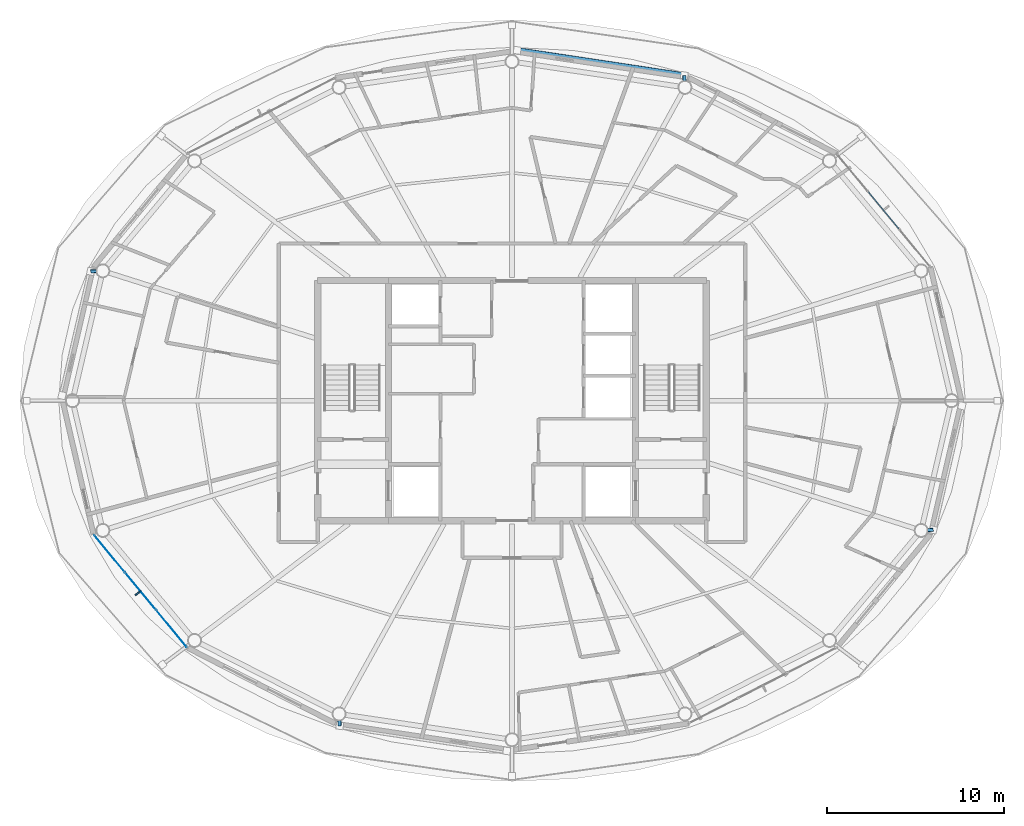
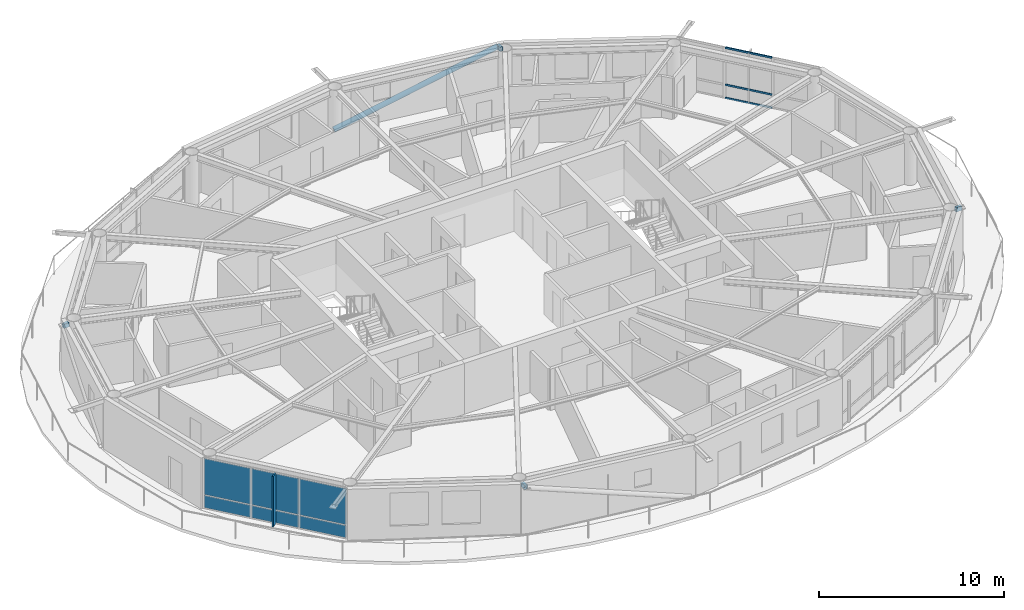
# One storey, part 12 of 23: 8 members, 7 plates, 2 elements without a shape of their own.
"""IFC4 building model written with IfcOpenShell, lengths in metres."""

import ifcopenshell
import ifcopenshell.guid

model = None  # the IFC model being written
_history = None  # IfcOwnerHistory: only IFC2X3 demands one
_inside = {}  # id of a spatial element -> (the spatial element, [elements in it])
_under = {}  # id of a project, library or spatial element -> (it, [spatial elements below it])
_declared = {}  # id of a project -> (the project, [libraries it declares])
_typed = {}  # id of a type object -> (the type object, [elements of that type])
_made_of = {}  # id of a material, layer set ... -> (it, [elements and type objects made of it])


def new_model(schema):
    """Start an empty IFC model of exactly this schema.

    Asked for "IFC4X3", IfcOpenShell would pick the latest addendum, in which some entities
    have other attributes; the version numbers below select the first issue.
    IFC2X3 requires an IfcOwnerHistory on every rooted entity: one is made here for all.
    """
    global model, _history
    if schema == "IFC4X3":
        model = ifcopenshell.file(schema_version=(4, 3, 0, 0))
    else:
        model = ifcopenshell.file(schema=schema)
    _inside.clear()
    _under.clear()
    _declared.clear()
    _typed.clear()
    _made_of.clear()
    _history = None
    if model.schema == "IFC2X3":
        org = make("IfcOrganization", Name="unknown")
        user = make(
            "IfcPersonAndOrganization",
            ThePerson=make("IfcPerson", FamilyName="unknown"),
            TheOrganization=org,
        )
        app = make(
            "IfcApplication",
            ApplicationDeveloper=org,
            Version="unknown",
            ApplicationFullName="unknown",
            ApplicationIdentifier="unknown",
        )
        _history = make(
            "IfcOwnerHistory",
            OwningUser=user,
            OwningApplication=app,
            ChangeAction="ADDED",
            CreationDate=0,
        )
    return model


def make(cls, **values):
    """One entity of the class cls with the attributes given. An attribute that is None is left unset."""
    return model.create_entity(
        cls, **{name: value for name, value in values.items() if value is not None}
    )


def rooted(cls, **values):
    """An entity with a GlobalId (a new one), such as an element, a storey or a relation."""
    return make(cls, GlobalId=ifcopenshell.guid.new(), OwnerHistory=_history, **values)


def si_unit(unit_type, name, prefix=None):
    """IfcSIUnit, for example si_unit("LENGTHUNIT", "METRE", prefix="MILLI")."""
    return make("IfcSIUnit", UnitType=unit_type, Prefix=prefix, Name=name)


def assignment(units):
    """IfcUnitAssignment: the units of a project."""
    return None if units is None else make("IfcUnitAssignment", Units=units)


def point(xyz):
    """IfcCartesianPoint."""
    return None if xyz is None else make("IfcCartesianPoint", Coordinates=xyz)


def direction(xyz):
    """IfcDirection."""
    return None if xyz is None else make("IfcDirection", DirectionRatios=xyz)


def frame(location, z_axis=None, x_axis=None):
    """IfcAxis2Placement3D, a coordinate frame: its origin and axes. An axis left out is left unset."""
    return make(
        "IfcAxis2Placement3D",
        Location=point(location),
        Axis=direction(z_axis),
        RefDirection=direction(x_axis),
    )


def frame_2d(location, x_axis=None):
    """IfcAxis2Placement2D, a coordinate frame in the plane: its origin and x axis."""
    return make(
        "IfcAxis2Placement2D", Location=point(location), RefDirection=direction(x_axis)
    )


def origin():
    """The frame at (0, 0, 0) with its axes left unset."""
    return frame((0.0, 0.0, 0.0))


def origin_2d():
    """The frame at (0, 0) in the plane with its x axis left unset."""
    return frame_2d((0.0, 0.0))


def place(relative_to, where):
    """IfcLocalPlacement: puts the frame where relative to a parent placement (None: the world)."""
    return make(
        "IfcLocalPlacement", PlacementRelTo=relative_to, RelativePlacement=where
    )


def context(
    kind, dimensions, precision=None, world=None, true_north=None, identifier=None
):
    """IfcGeometricRepresentationContext, for example the 3D "Model" context."""
    return make(
        "IfcGeometricRepresentationContext",
        ContextIdentifier=identifier,
        ContextType=kind,
        CoordinateSpaceDimension=dimensions,
        Precision=precision,
        WorldCoordinateSystem=world,
        TrueNorth=true_north,
    )


def subcontext(parent, identifier, kind, view, scale=None):
    """IfcGeometricRepresentationSubContext, for example "Body" below "Model"."""
    return make(
        "IfcGeometricRepresentationSubContext",
        ContextIdentifier=identifier,
        ContextType=kind,
        ParentContext=parent,
        TargetScale=scale,
        TargetView=view,
    )


def project(units=None, contexts=None):
    """IfcProject with its units and contexts."""
    return rooted(
        "IfcProject",
        Name="project",
        RepresentationContexts=contexts,
        UnitsInContext=assignment(units),
    )


def spatial(cls, under=None, at=None, **own):
    """A site, building, storey or space (cls), placed at a placement, below another one or the project."""
    s = rooted(cls, ObjectPlacement=at, **own)
    if under is not None:
        _under.setdefault(under.id(), (under, []))[1].append(s)
    return s


def profile(cls, at=None, kind="AREA", **sizes):
    """A parametric profile (cls). Its sizes go by their IFC names, for example OverallWidth=200.0."""
    return make(cls, ProfileType=kind, Position=at, **sizes)


def rectangle(**sizes):
    """IfcRectangleProfileDef."""
    return profile("IfcRectangleProfileDef", **sizes)


def hollow_rectangle(**sizes):
    """IfcRectangleHollowProfileDef."""
    return profile("IfcRectangleHollowProfileDef", **sizes)


def hollow_circle(**sizes):
    """IfcCircleHollowProfileDef."""
    return profile("IfcCircleHollowProfileDef", **sizes)


def extrude(swept, where, along, depth):
    """IfcExtrudedAreaSolid: the profile swept, set in the frame where, extruded along a direction by depth."""
    return make(
        "IfcExtrudedAreaSolid",
        SweptArea=swept,
        Position=where,
        ExtrudedDirection=direction(along),
        Depth=depth,
    )


def shape(context_of_items, identifier, shape_type, items):
    """IfcShapeRepresentation: the items that make up one representation, for example the "Body"."""
    return make(
        "IfcShapeRepresentation",
        ContextOfItems=context_of_items,
        RepresentationIdentifier=identifier,
        RepresentationType=shape_type,
        Items=items,
    )


def material(Name=None, Category=None):
    """IfcMaterial."""
    return make("IfcMaterial", Name=Name, Category=Category)


def layer(
    of_material, thickness, ventilated=None, Name=None, Category=None, Priority=None
):
    """IfcMaterialLayer: one layer of a wall or slab, of a material (None: an air gap)."""
    return make(
        "IfcMaterialLayer",
        Material=of_material,
        LayerThickness=thickness,
        IsVentilated=ventilated,
        Name=Name,
        Category=Category,
        Priority=Priority,
    )


def layer_set(layers, Name=None):
    """IfcMaterialLayerSet."""
    return make("IfcMaterialLayerSet", MaterialLayers=layers, LayerSetName=Name)


def material_profile(
    of_material, cross_section, Name=None, Category=None, Priority=None
):
    """IfcMaterialProfile: a cross section and its material."""
    return make(
        "IfcMaterialProfile",
        Name=Name,
        Material=of_material,
        Profile=cross_section,
        Priority=Priority,
        Category=Category,
    )


def profile_set(profiles, Name=None, composite=None):
    """IfcMaterialProfileSet."""
    return make(
        "IfcMaterialProfileSet",
        Name=Name,
        MaterialProfiles=profiles,
        CompositeProfile=composite,
    )


def made_of(thing, what):
    """Note that an element or type object is made of a material, layer set ...; save() writes the relation."""
    if what is not None:
        _made_of.setdefault(what.id(), (what, []))[1].append(thing)
    return thing


def type_object(cls, material=None, **own):
    """A type object (cls), such as IfcWallType, which elements share."""
    return made_of(rooted(cls, **own), material)


def element(
    cls,
    number,
    at=None,
    inside=None,
    cuts=None,
    type_object=None,
    material=None,
    context=None,
    identifier="Body",
    shape_type=None,
    held_by="IfcProductDefinitionShape",
    body=None,
    shapes=None,
    **own,
):
    """One element of the class cls, such as IfcWall. Its Tag is "e" and its number.

    at: its placement. inside: the storey or other place that contains it. cuts: it is an
    opening in that element (IfcRelVoidsElement). A single representation is given by context,
    identifier, shape_type and body (its items); several are given by shapes. held_by: the class
    of the entity that holds the representations. save() writes the other relations.
    """
    e = rooted(cls, Tag="e%d" % number, ObjectPlacement=at, **own)
    if body is not None:
        shapes = [shape(context, identifier, shape_type, body)]
    if shapes is not None:
        e.Representation = make(held_by, Representations=shapes)
    if inside is not None:
        _inside.setdefault(inside.id(), (inside, []))[1].append(e)
    if cuts is not None:
        rooted(
            "IfcRelVoidsElement", RelatingBuildingElement=cuts, RelatedOpeningElement=e
        )
    if type_object is not None:
        _typed.setdefault(type_object.id(), (type_object, []))[1].append(e)
    return made_of(e, material)


def aggregate(whole, parts):
    """IfcRelAggregates: a whole, such as a stair, and the parts it consists of."""
    return rooted("IfcRelAggregates", RelatingObject=whole, RelatedObjects=parts)


def save(model, path):
    """Write the relations noted so far, then the file.

    IfcRelAggregates (storeys below a building ...), IfcRelContainedInSpatialStructure (elements
    in a storey), IfcRelDefinesByType, IfcRelAssociatesMaterial and IfcRelDeclares: one each for
    every whole, place, type object, material and project.
    """
    for whole, parts in _under.values():
        aggregate(whole, parts)
    for where, things in _inside.values():
        rooted(
            "IfcRelContainedInSpatialStructure",
            RelatedElements=things,
            RelatingStructure=where,
        )
    for kind, things in _typed.values():
        rooted("IfcRelDefinesByType", RelatedObjects=things, RelatingType=kind)
    for what, things in _made_of.values():
        rooted("IfcRelAssociatesMaterial", RelatedObjects=things, RelatingMaterial=what)
    for by, libraries in _declared.values():
        rooted("IfcRelDeclares", RelatingContext=by, RelatedDefinitions=libraries)
    model.write(path)


model = new_model("IFC4")

# Units and contexts
model_context = context("Model", 3, precision=1e-05, world=origin(), true_north=direction((0.0, 1.0)))
body_context = subcontext(model_context, "Body", "Model", "MODEL_VIEW")
ifc_project = project(units=[si_unit("LENGTHUNIT", "METRE"), si_unit("AREAUNIT", "SQUARE_METRE"), si_unit("VOLUMEUNIT", "CUBIC_METRE"), si_unit("PLANEANGLEUNIT", "RADIAN"), si_unit("MASSUNIT", "GRAM", prefix="KILO")], contexts=[model_context])

# Site, building, storey
site_placement = place(None, origin())
site = spatial("IfcSite", under=ifc_project, at=site_placement, CompositionType="ELEMENT")
building_placement = place(site_placement, origin())
building = spatial("IfcBuilding", under=site, at=building_placement, Name="Sarneth Arch Tower", CompositionType="ELEMENT")
storey_placement = place(building_placement, frame((0.0, 0.0, 269.39990234375)))
storey = spatial("IfcBuildingStorey", under=building, at=storey_placement, Name="L69", CompositionType="ELEMENT", Elevation=269.39990234375)

# Curtain wall, members
ifc_material_1 = material(Name="Anodised aluminium Type AA25 and solar-control low-e laminated IGU", Category="aluminium")
ifc_layer_1 = layer(ifc_material_1, 0.179931640625)
ifc_layer_set_1 = layer_set([ifc_layer_1], Name="Anodised aluminium Type AA25 and solar-control low-e laminated IGU")
curtain_wall_type = type_object("IfcCurtainWallType", Name="CW-RES-HIGH", PredefinedType="NOTDEFINED", material=ifc_layer_set_1)
curtain_wall_1_placement = place(storey_placement, origin())
curtain_wall_1 = element("IfcCurtainWall", 1, at=curtain_wall_1_placement, inside=storey, type_object=curtain_wall_type, Name="L69 Unitised curtain wall facet 02", PredefinedType="NOTDEFINED")
ifc_material_2 = material(Name="Anodised Aluminium 6063-T6", Category="aluminium")
ifc_material_profile_1 = material_profile(ifc_material_2, hollow_rectangle(XDim=0.06005859375, YDim=0.1201171875, WallThickness=0.00390625, at=origin_2d()), Name="AL-TRAN-120x60x4")
ifc_profile_set_1 = profile_set([ifc_material_profile_1], Name="Anodised Aluminium 6063-T6")
member_type_1 = type_object("IfcMemberType", Name="CW-TRANSOM", PredefinedType="USERDEFINED", material=ifc_profile_set_1)
member_1_placement = place(storey_placement, frame((69.904296875, 51.731689453125, 0.030029296875), z_axis=(-0.637617371902, 0.770353222261, 0.0), x_axis=(-0.770353222261, -0.637617371902, 0.0)))
member_1 = element("IfcMember", 2, at=member_1_placement, type_object=member_type_1, Name="CW-SYS-6 transom 2.1", ObjectType="TRANSOM", PredefinedType="USERDEFINED", context=body_context, shape_type="SweptSolid", body=[
    extrude(hollow_rectangle(XDim=0.06005859375, YDim=0.1201171875, WallThickness=0.00390625, at=origin_2d()), origin(), (0.0, 0.0, 1.0), 2.716552734375),
])
member_2_placement = place(storey_placement, frame((69.904296875, 51.731689453125, 0.900146484375), z_axis=(-0.637617371902, 0.770353222261, 0.0), x_axis=(-0.770353222261, -0.637617371902, 0.0)))
member_2 = element("IfcMember", 3, at=member_2_placement, type_object=member_type_1, Name="CW-SYS-6 transom 2.2", ObjectType="TRANSOM", PredefinedType="USERDEFINED", context=body_context, shape_type="SweptSolid", body=[
    extrude(hollow_rectangle(XDim=0.06005859375, YDim=0.1201171875, WallThickness=0.00390625, at=origin_2d()), origin(), (0.0, 0.0, 1.0), 2.716552734375),
])
member_3_placement = place(storey_placement, frame((69.904296875, 51.731689453125, 3.340087890625), z_axis=(-0.637617371902, 0.770353222261, 0.0), x_axis=(-0.770353222261, -0.637617371902, 0.0)))
member_3 = element("IfcMember", 4, at=member_3_placement, type_object=member_type_1, Name="CW-SYS-6 transom 2.3", ObjectType="TRANSOM", PredefinedType="USERDEFINED", context=body_context, shape_type="SweptSolid", body=[
    extrude(hollow_rectangle(XDim=0.06005859375, YDim=0.1201171875, WallThickness=0.00390625, at=origin_2d()), origin(), (0.0, 0.0, 1.0), 2.716552734375),
])
aggregate(curtain_wall_1, [member_1, member_2, member_3])

# Members
ifc_material_3 = material(Name="Steel S355", Category="steel")
ifc_material_profile_2 = material_profile(ifc_material_3, hollow_rectangle(XDim=0.199951171875, YDim=0.300048828125, WallThickness=0.012451171875, InnerFilletRadius=0.018798828125, OuterFilletRadius=0.03125, at=origin_2d()), Name="RHS300x200x12.5")
ifc_profile_set_2 = profile_set([ifc_material_profile_2], Name="Steel S355")
member_type_2 = type_object("IfcMemberType", Name="MEM-CANT-STRUT", PredefinedType="STRUT", material=ifc_profile_set_2)
member_4_placement = place(storey_placement, frame((57.772216796875, 60.080810546875, 3.09228515625), z_axis=(-0.054571440387, 0.998509868701, 0.0), x_axis=(-0.998509868701, -0.054571440387, 0.0)))
element("IfcMember", 5, at=member_4_placement, inside=storey, type_object=member_type_2, Name="L69 Exoskeleton brace node strut 04B", PredefinedType="STRUT", context=body_context, shape_type="SweptSolid", body=[
    extrude(hollow_rectangle(XDim=0.199951171875, YDim=0.300048828125, WallThickness=0.012451171875, InnerFilletRadius=0.018798828125, OuterFilletRadius=0.03125, at=origin_2d()), origin(), (0.0, 0.0, 1.0), 0.3310546875),
])
member_5_placement = place(storey_placement, frame((24.488525390625, 49.33154296875, 3.09228515625), z_axis=(-0.998881069959, -0.047292790974, 0.0), x_axis=(0.047292790974, -0.998881069959, 0.0)))
element("IfcMember", 6, at=member_5_placement, inside=storey, type_object=member_type_2, Name="L69 Exoskeleton brace node strut 08B", PredefinedType="STRUT", context=body_context, shape_type="SweptSolid", body=[
    extrude(hollow_rectangle(XDim=0.199951171875, YDim=0.300048828125, WallThickness=0.012451171875, InnerFilletRadius=0.018798828125, OuterFilletRadius=0.03125, at=origin_2d()), origin(), (0.0, 0.0, 1.0), 0.3408203125),
])
member_6_placement = place(storey_placement, frame((38.227783203125, 23.919189453125, 3.09228515625), z_axis=(0.054571440387, -0.998509868701, 0.0), x_axis=(0.998509868701, 0.054571440387, 0.0)))
element("IfcMember", 7, at=member_6_placement, inside=storey, type_object=member_type_2, Name="L69 Exoskeleton brace node strut 12B", PredefinedType="STRUT", context=body_context, shape_type="SweptSolid", body=[
    extrude(hollow_rectangle(XDim=0.199951171875, YDim=0.300048828125, WallThickness=0.012451171875, InnerFilletRadius=0.018798828125, OuterFilletRadius=0.03125, at=origin_2d()), origin(), (0.0, 0.0, 1.0), 0.3310546875),
])
member_7_placement = place(storey_placement, frame((71.511474609375, 34.66845703125, 3.09228515625), z_axis=(0.998881069959, 0.047292790974, 0.0), x_axis=(-0.047292790974, 0.998881069959, 0.0)))
element("IfcMember", 8, at=member_7_placement, inside=storey, type_object=member_type_2, Name="L69 Exoskeleton brace node strut 16B", PredefinedType="STRUT", context=body_context, shape_type="SweptSolid", body=[
    extrude(hollow_rectangle(XDim=0.199951171875, YDim=0.300048828125, WallThickness=0.012451171875, InnerFilletRadius=0.018798828125, OuterFilletRadius=0.03125, at=origin_2d()), origin(), (0.0, 0.0, 1.0), 0.3408203125),
])
ifc_material_4 = material(Name="Steel S355", Category="steel")
ifc_material_profile_3 = material_profile(ifc_material_4, hollow_circle(Radius=0.162109375, WallThickness=0.012451171875, at=origin_2d()), Name="CHS324x12.5")
ifc_profile_set_3 = profile_set([ifc_material_profile_3], Name="Steel S355")
member_type_3 = type_object("IfcMemberType", Name="MEM-DIAG-BR3", PredefinedType="BRACE", material=ifc_profile_set_3)
member_8_placement = place(storey_placement, frame((48.296630859375, 61.83544921875, 0.02001953125), z_axis=(0.941471055877, -0.141762627625, 0.305835917372), x_axis=(0.148897148305, 0.988852688335, 0.0)))
element("IfcMember", 9, at=member_8_placement, inside=storey, type_object=member_type_3, Name="L69 Perimeter frame diagonal 04", PredefinedType="BRACE", context=body_context, shape_type="SweptSolid", body=[
    extrude(hollow_circle(Radius=0.162109375, WallThickness=0.012451171875, at=origin_2d()), origin(), (0.0, 0.0, 1.0), 10.04541015625),
])

# Curtain wall, plates
curtain_wall_2_placement = place(storey_placement, origin())
curtain_wall_2 = element("IfcCurtainWall", 10, at=curtain_wall_2_placement, inside=storey, type_object=curtain_wall_type, Name="L69 Unitised curtain wall facet 10", PredefinedType="NOTDEFINED")
ifc_material_5 = material(Name="Solar-control low-e laminated IGU", Category="glass")
ifc_layer_2 = layer(ifc_material_5, 0.028076171875)
ifc_layer_set_2 = layer_set([ifc_layer_2], Name="Solar-control low-e laminated IGU")
plate_type_1 = type_object("IfcPlateType", Name="CW-PANEL", PredefinedType="CURTAIN_PANEL", material=ifc_layer_set_2)
plate_1_placement = place(storey_placement, frame((25.200927734375, 33.349365234375, 0.06005859375), z_axis=(0.0, 0.0, 1.0), x_axis=(0.637610094184, -0.770359245933, 0.0)))
plate_1 = element("IfcPlate", 11, at=plate_1_placement, type_object=plate_type_1, Name="Curtain wall glazed vision pane CW-L69-F10/P00-00", PredefinedType="CURTAIN_PANEL", context=body_context, shape_type="SweptSolid", body=[
    extrude(rectangle(XDim=2.686767578125, YDim=0.028076171875, at=origin_2d()), origin(), (0.0, 0.0, 1.0), 0.81005859375),
])
plate_2_placement = place(storey_placement, frame((25.200927734375, 33.349365234375, 0.93017578125), z_axis=(0.0, 0.0, 1.0), x_axis=(0.637610094184, -0.770359245933, 0.0)))
plate_2 = element("IfcPlate", 12, at=plate_2_placement, type_object=plate_type_1, Name="Curtain wall glazed vision pane CW-L69-F10/P00-01", PredefinedType="CURTAIN_PANEL", context=body_context, shape_type="SweptSolid", body=[
    extrude(rectangle(XDim=2.686767578125, YDim=0.028076171875, at=origin_2d()), origin(), (0.0, 0.0, 1.0), 2.3798828125),
])
plate_3_placement = place(storey_placement, frame((26.9619140625, 31.221923828125, 0.06005859375), z_axis=(0.0, 0.0, 1.0), x_axis=(0.637610094184, -0.770359245933, 0.0)))
plate_3 = element("IfcPlate", 13, at=plate_3_placement, type_object=plate_type_1, Name="Curtain wall glazed vision pane CW-L69-F10/P01-00", PredefinedType="CURTAIN_PANEL", context=body_context, shape_type="SweptSolid", body=[
    extrude(rectangle(XDim=2.716552734375, YDim=0.028076171875, at=origin_2d()), origin(), (0.0, 0.0, 1.0), 0.81005859375),
])
plate_4_placement = place(storey_placement, frame((26.9619140625, 31.221923828125, 0.93017578125), z_axis=(0.0, 0.0, 1.0), x_axis=(0.637610094184, -0.770359245933, 0.0)))
plate_4 = element("IfcPlate", 14, at=plate_4_placement, type_object=plate_type_1, Name="Curtain wall glazed vision pane CW-L69-F10/P01-01", PredefinedType="CURTAIN_PANEL", context=body_context, shape_type="SweptSolid", body=[
    extrude(rectangle(XDim=2.716552734375, YDim=0.028076171875, at=origin_2d()), origin(), (0.0, 0.0, 1.0), 2.3798828125),
])
plate_5_placement = place(storey_placement, frame((28.72265625, 29.094482421875, 0.06005859375), z_axis=(0.0, 0.0, 1.0), x_axis=(0.637610094184, -0.770359245933, 0.0)))
plate_5 = element("IfcPlate", 15, at=plate_5_placement, type_object=plate_type_1, Name="Curtain wall glazed vision pane CW-L69-F10/P02-00", PredefinedType="CURTAIN_PANEL", context=body_context, shape_type="SweptSolid", body=[
    extrude(rectangle(XDim=2.686767578125, YDim=0.028076171875, at=origin_2d()), origin(), (0.0, 0.0, 1.0), 0.81005859375),
])
plate_6_placement = place(storey_placement, frame((28.72265625, 29.094482421875, 0.93017578125), z_axis=(0.0, 0.0, 1.0), x_axis=(0.637610094184, -0.770359245933, 0.0)))
plate_6 = element("IfcPlate", 16, at=plate_6_placement, type_object=plate_type_1, Name="Curtain wall glazed vision pane CW-L69-F10/P02-01", PredefinedType="CURTAIN_PANEL", context=body_context, shape_type="SweptSolid", body=[
    extrude(rectangle(XDim=2.686767578125, YDim=0.028076171875, at=origin_2d()), origin(), (0.0, 0.0, 1.0), 2.3798828125),
])
aggregate(curtain_wall_2, [plate_1, plate_2, plate_3, plate_4, plate_5, plate_6])

# Plate
ifc_material_6 = material(Name="Extruded glazed terracotta baguette fin on Aluminium 6063-T6 carrier", Category="masonry")
ifc_layer_3 = layer(ifc_material_6, 0.080078125)
ifc_layer_set_3 = layer_set([ifc_layer_3], Name="Extruded glazed terracotta baguette fin on Aluminium 6063-T6 carrier")
plate_type_2 = type_object("IfcPlateType", Name="SHADE-TERRA-FIN", PredefinedType="SHEET", material=ifc_layer_set_3)
plate_7_placement = place(storey_placement, frame((26.830810546875, 31.113525390625, 0.010009765625), z_axis=(0.0, 0.0, 1.0), x_axis=(-0.770401979567, -0.63755845997, 0.0)))
element("IfcPlate", 17, at=plate_7_placement, inside=storey, type_object=plate_type_2, Name="L69 Terracotta vertical shading fin 10", PredefinedType="SHEET", context=body_context, shape_type="SweptSolid", body=[
    extrude(rectangle(XDim=0.419921875, YDim=0.080078125, at=origin_2d()), origin(), (0.0, 0.0, 1.0), 3.35009765625),
])

save(model, "model.ifc")
